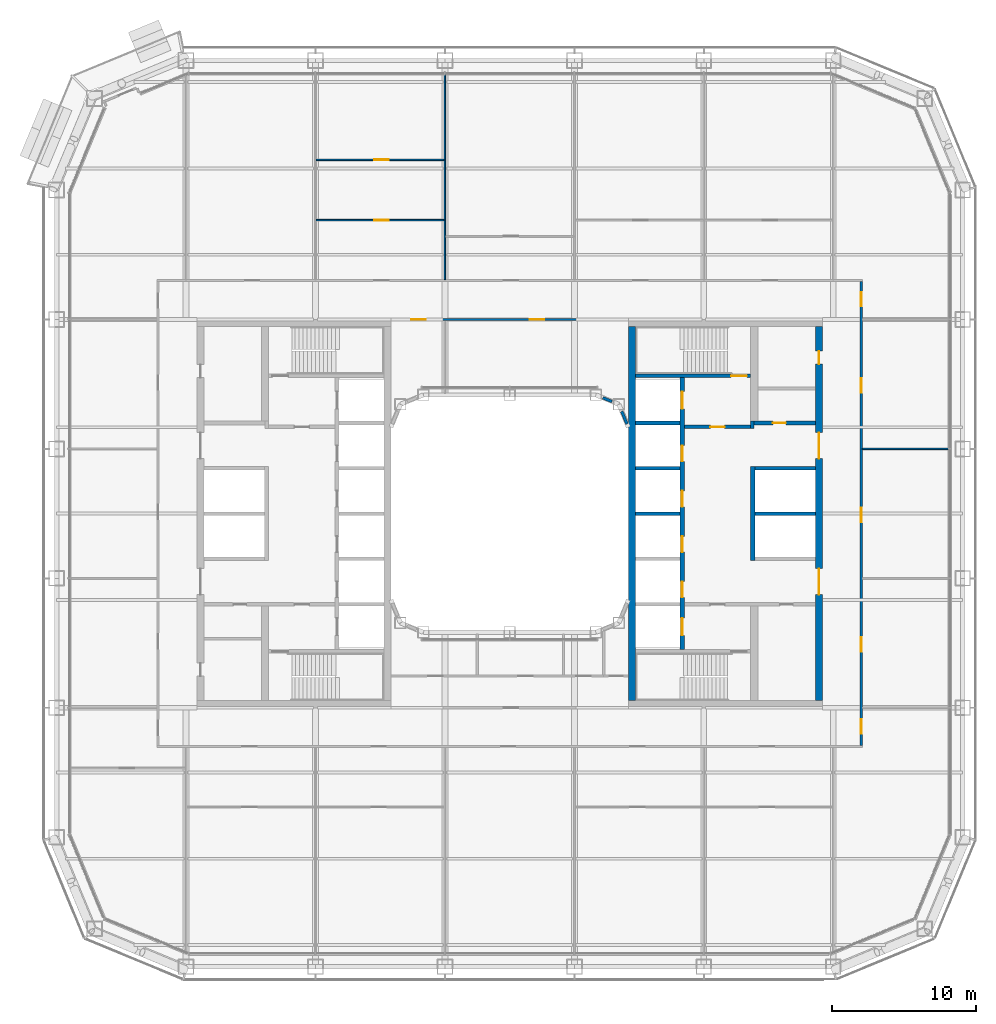
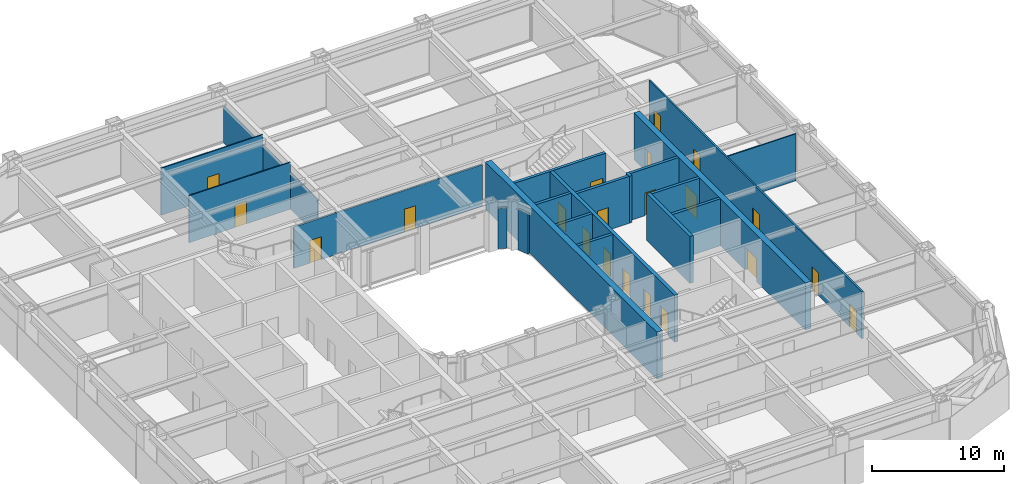
# One storey, part 15 of 28: 21 doors, 21 walls, 21 openings.
"""IFC4 building model written with IfcOpenShell, lengths in metres."""

from ifc_helpers import new_model, si_unit, direction, frame, frame_2d, origin, place, context, subcontext, project, spatial, rectangle, extrude, material, layer, layer_set, type_object, element, fill, save


model = new_model("IFC4")

# Units and contexts
model_context = context("Model", 3, precision=1e-05, world=origin(), true_north=direction((0.0, 1.0)))
body_context = subcontext(model_context, "Body", "Model", "MODEL_VIEW")
ifc_project = project(units=[si_unit("LENGTHUNIT", "METRE"), si_unit("AREAUNIT", "SQUARE_METRE"), si_unit("VOLUMEUNIT", "CUBIC_METRE"), si_unit("PLANEANGLEUNIT", "RADIAN"), si_unit("MASSUNIT", "GRAM", prefix="KILO")], contexts=[model_context])

# Site, building, storey
site_placement = place(None, origin())
site = spatial("IfcSite", under=ifc_project, at=site_placement, CompositionType="ELEMENT")
building_placement = place(site_placement, origin())
building = spatial("IfcBuilding", under=site, at=building_placement, Name="Siwar Civic Tower", CompositionType="ELEMENT")
storey_placement = place(building_placement, frame((0.0, 0.0, 31.199951171875)))
storey = spatial("IfcBuildingStorey", under=building, at=storey_placement, Name="L06", CompositionType="ELEMENT", Elevation=31.199951171875)

# Wall, opening, door
ifc_material_1 = material(Name="Concrete C60/75", Category="concrete")
ifc_layer_1 = layer(ifc_material_1, 0.25)
ifc_layer_set_1 = layer_set([ifc_layer_1], Name="Concrete C60/75")
wall_type_1 = type_object("IfcWallType", Name="CORE-WALL-RC250", PredefinedType="SHEAR", material=ifc_layer_set_1)
wall_1_placement = place(storey_placement, frame((12.14990234375, 6.02490234375, 0.0), z_axis=(0.0, 0.0, 1.0), x_axis=(1.0, 0.0, 0.0)))
wall_1 = element("IfcWall", 1, at=wall_1_placement, inside=storey, type_object=wall_type_1, Name="Core wall E", PredefinedType="SHEAR", context=body_context, shape_type="SweptSolid", body=[
    extrude(rectangle(XDim=4.60009765625, YDim=0.25, at=frame_2d((2.300048828125, 0.0))), origin(), (0.0, 0.0, 1.0), 4.35009765625),
])
opening_1_placement = place(wall_1_placement, frame((1.800048828125, 0.0, 0.0)))
opening_1 = element("IfcOpeningElement", 2, at=opening_1_placement, cuts=wall_1, Name="Opening L06-CE01", PredefinedType="OPENING", context=body_context, shape_type="SweptSolid", body=[
    extrude(rectangle(XDim=1.0, YDim=2.10009765625, at=frame_2d((0.5, 1.050048828125))), frame((0.0, 0.135009765625, 0.0), z_axis=(0.0, -1.0, 0.0), x_axis=(1.0, 0.0, 0.0)), (0.0, 0.0, 1.0), 0.27001953125),
])
ifc_material_2 = material(Name="Steel door leaf", Category="steel")
door_type_1 = type_object("IfcDoorType", Name="CORE-DOOR-FD30S", OperationType="SINGLE_SWING_LEFT", PredefinedType="DOOR", material=ifc_material_2)
door_1_placement = place(opening_1_placement, origin())
door_1 = element("IfcDoor", 3, at=door_1_placement, inside=storey, type_object=door_type_1, Name="Firefighting lobby door L06-CE01", OperationType="SINGLE_SWING_RIGHT", OverallHeight=2.10009765625, OverallWidth=1.0, PredefinedType="DOOR", context=body_context, shape_type="SweptSolid", body=[
    extrude(rectangle(XDim=1.0, YDim=2.10009765625, at=frame_2d((0.5, 1.050048828125))), frame((0.0, 0.02490234375, 0.0), z_axis=(0.0, -1.0, 0.0), x_axis=(1.0, 0.0, 0.0)), (0.0, 0.0, 1.0), 0.050048828125),
])
fill(opening_1, door_1)

# Wall
wall_2_placement = place(storey_placement, frame((16.875, 5.89990234375, 0.0), z_axis=(0.0, 0.0, 1.0), x_axis=(0.0, 1.0, 0.0)))
element("IfcWall", 4, at=wall_2_placement, inside=storey, type_object=wall_type_1, Name="Core wall E", PredefinedType="SHEAR", context=body_context, shape_type="SweptSolid", body=[
    extrude(rectangle(XDim=0.525146484375, YDim=0.25, at=frame_2d((0.2626953125, 0.0))), origin(), (0.0, 0.0, 1.0), 4.35009765625),
])

# Wall, opening, door
wall_3_placement = place(storey_placement, frame((17.0, 6.300048828125, 0.0), z_axis=(0.0, 0.0, 1.0), x_axis=(1.0, 0.0, 0.0)))
wall_3 = element("IfcWall", 5, at=wall_3_placement, inside=storey, type_object=wall_type_1, Name="Core wall E", PredefinedType="SHEAR", context=body_context, shape_type="SweptSolid", body=[
    extrude(rectangle(XDim=4.25, YDim=0.25, at=frame_2d((2.125, 0.0))), origin(), (0.0, 0.0, 1.0), 4.35009765625),
])
opening_2_placement = place(wall_3_placement, frame((1.300048828125, 0.0, 0.0)))
opening_2 = element("IfcOpeningElement", 6, at=opening_2_placement, cuts=wall_3, Name="Opening L06-CE13", PredefinedType="OPENING", context=body_context, shape_type="SweptSolid", body=[
    extrude(rectangle(XDim=0.89990234375, YDim=2.10009765625, at=frame_2d((0.449951171875, 1.050048828125))), frame((0.0, 0.135009765625, 0.0), z_axis=(0.0, -1.0, 0.0), x_axis=(1.0, 0.0, 0.0)), (0.0, 0.0, 1.0), 0.27001953125),
])
ifc_material_3 = material(Name="Steel door leaf", Category="steel")
door_type_2 = type_object("IfcDoorType", Name="CORE-DOOR-ROOM", OperationType="SINGLE_SWING_LEFT", PredefinedType="DOOR", material=ifc_material_3)
door_2_placement = place(opening_2_placement, origin())
door_2 = element("IfcDoor", 7, at=door_2_placement, inside=storey, type_object=door_type_2, Name="Core room door L06-CE13", OperationType="SINGLE_SWING_RIGHT", OverallHeight=2.10009765625, OverallWidth=0.89990234375, PredefinedType="DOOR", context=body_context, shape_type="SweptSolid", body=[
    extrude(rectangle(XDim=0.89990234375, YDim=2.10009765625, at=frame_2d((0.449951171875, 1.050048828125))), frame((0.0, 0.02490234375, 0.0), z_axis=(0.0, -1.0, 0.0), x_axis=(1.0, 0.0, 0.0)), (0.0, 0.0, 1.0), 0.050048828125),
])
fill(opening_2, door_2)

# Walls
for number, where, z_axis, x_axis, name in (
    (8, (17.050048828125, 0.0, 0.0), (0.0, 0.0, 1.0), (1.0, 0.0, 0.0), "Core wall E"),
    (9, (17.050048828125, 3.14990234375, 0.0), (0.0, 0.0, 1.0), (1.0, 0.0, 0.0), "Core wall E"),
):
    element("IfcWall", number, at=place(storey_placement, frame(where, z_axis=z_axis, x_axis=x_axis)), inside=storey, type_object=wall_type_1, Name=name, PredefinedType="SHEAR", context=body_context, shape_type="SweptSolid", body=[
        extrude(rectangle(XDim=4.199951171875, YDim=0.25, at=frame_2d((2.10009765625, 0.0))), origin(), (0.0, 0.0, 1.0), 4.35009765625),
    ])
for number, where, z_axis, x_axis, name in (
    (10, (8.75, 0.0, 0.0), (0.0, 0.0, 1.0), (1.0, 0.0, 0.0), "Core wall E"),
    (11, (8.75, 3.14990234375, 0.0), (0.0, 0.0, 1.0), (1.0, 0.0, 0.0), "Core wall E"),
    (12, (8.75, 6.300048828125, 0.0), (0.0, 0.0, 1.0), (1.0, 0.0, 0.0), "Core wall E"),
):
    element("IfcWall", number, at=place(storey_placement, frame(where, z_axis=z_axis, x_axis=x_axis)), inside=storey, type_object=wall_type_1, Name=name, PredefinedType="SHEAR", context=body_context, shape_type="SweptSolid", body=[
        extrude(rectangle(XDim=3.10009765625, YDim=0.25, at=frame_2d((1.550048828125, 0.0))), origin(), (0.0, 0.0, 1.0), 4.35009765625),
    ])

# Wall, opening, door
wall_4_placement = place(storey_placement, frame((8.75, 9.574951171875, 0.0), z_axis=(0.0, 0.0, 1.0), x_axis=(1.0, 0.0, 0.0)))
wall_4 = element("IfcWall", 13, at=wall_4_placement, inside=storey, type_object=wall_type_1, Name="Core wall E", PredefinedType="SHEAR", context=body_context, shape_type="SweptSolid", body=[
    extrude(rectangle(XDim=8.0, YDim=0.25, at=frame_2d((4.0, 0.0))), origin(), (0.0, 0.0, 1.0), 4.35009765625),
])
opening_3_placement = place(wall_4_placement, frame((6.64990234375, 0.0, 0.0)))
opening_3 = element("IfcOpeningElement", 14, at=opening_3_placement, cuts=wall_4, Name="Opening L06-CE03", PredefinedType="OPENING", context=body_context, shape_type="SweptSolid", body=[
    extrude(rectangle(XDim=1.10009765625, YDim=2.10009765625, at=frame_2d((0.550048828125, 1.050048828125))), frame((0.0, 0.135009765625, 0.0), z_axis=(0.0, -1.0, 0.0), x_axis=(1.0, 0.0, 0.0)), (0.0, 0.0, 1.0), 0.27001953125),
])
ifc_material_4 = material(Name="Steel door leaf", Category="steel")
door_type_3 = type_object("IfcDoorType", Name="CORE-DOOR-FD60S", OperationType="SINGLE_SWING_LEFT", PredefinedType="DOOR", material=ifc_material_4)
door_3_placement = place(opening_3_placement, origin())
door_3 = element("IfcDoor", 15, at=door_3_placement, inside=storey, type_object=door_type_3, Name="Stair door L06-CE03", OperationType="SINGLE_SWING_LEFT", OverallHeight=2.10009765625, OverallWidth=1.10009765625, PredefinedType="DOOR", context=body_context, shape_type="SweptSolid", body=[
    extrude(rectangle(XDim=1.10009765625, YDim=2.10009765625, at=frame_2d((0.550048828125, 1.050048828125))), frame((0.0, 0.02490234375, 0.0), z_axis=(0.0, -1.0, 0.0), x_axis=(1.0, 0.0, 0.0)), (0.0, 0.0, 1.0), 0.050048828125),
])
fill(opening_3, door_3)

# Wall, openings, doors
ifc_material_5 = material(Name="Concrete C60/75", Category="concrete")
ifc_layer_2 = layer(ifc_material_5, 0.300048828125)
ifc_layer_set_2 = layer_set([ifc_layer_2], Name="Concrete C60/75")
wall_type_2 = type_object("IfcWallType", Name="CORE-WALL-RC300", PredefinedType="SHEAR", material=ifc_layer_set_2)
wall_5_placement = place(storey_placement, frame((12.0, -9.449951171875, 0.0), z_axis=(0.0, 0.0, 1.0), x_axis=(0.0, 1.0, 0.0)))
wall_5 = element("IfcWall", 16, at=wall_5_placement, inside=storey, type_object=wall_type_2, Name="Core wall E", PredefinedType="SHEAR", context=body_context, shape_type="SweptSolid", body=[
    extrude(rectangle(XDim=18.89990234375, YDim=0.300048828125, at=frame_2d((9.449951171875, 0.0))), origin(), (0.0, 0.0, 1.0), 4.35009765625),
])
opening_4_placement = place(wall_5_placement, frame((3.625, 0.0, 0.0)))
opening_4 = element("IfcOpeningElement", 17, at=opening_4_placement, cuts=wall_5, Name="Opening L06-CE07", PredefinedType="OPENING", context=body_context, shape_type="SweptSolid", body=[
    extrude(rectangle(XDim=1.10009765625, YDim=2.10009765625, at=frame_2d((0.550048828125, 1.050048828125))), frame((0.0, 0.16015625, 0.0), z_axis=(0.0, -1.0, 0.0), x_axis=(1.0, 0.0, 0.0)), (0.0, 0.0, 1.0), 0.320068359375),
])
opening_5_placement = place(wall_5_placement, frame((6.77490234375, 0.0, 0.0)))
opening_5 = element("IfcOpeningElement", 18, at=opening_5_placement, cuts=wall_5, Name="Opening L06-CE08", PredefinedType="OPENING", context=body_context, shape_type="SweptSolid", body=[
    extrude(rectangle(XDim=1.10009765625, YDim=2.10009765625, at=frame_2d((0.550048828125, 1.050048828125))), frame((0.0, 0.16015625, 0.0), z_axis=(0.0, -1.0, 0.0), x_axis=(1.0, 0.0, 0.0)), (0.0, 0.0, 1.0), 0.320068359375),
])
opening_6_placement = place(wall_5_placement, frame((9.925048828125, 0.0, 0.0)))
opening_6 = element("IfcOpeningElement", 19, at=opening_6_placement, cuts=wall_5, Name="Opening L06-CE09", PredefinedType="OPENING", context=body_context, shape_type="SweptSolid", body=[
    extrude(rectangle(XDim=1.10009765625, YDim=2.10009765625, at=frame_2d((0.550048828125, 1.050048828125))), frame((0.0, 0.16015625, 0.0), z_axis=(0.0, -1.0, 0.0), x_axis=(1.0, 0.0, 0.0)), (0.0, 0.0, 1.0), 0.320068359375),
])
opening_7_placement = place(wall_5_placement, frame((13.074951171875, 0.0, 0.0)))
opening_7 = element("IfcOpeningElement", 20, at=opening_7_placement, cuts=wall_5, Name="Opening L06-CE10", PredefinedType="OPENING", context=body_context, shape_type="SweptSolid", body=[
    extrude(rectangle(XDim=1.10009765625, YDim=2.10009765625, at=frame_2d((0.550048828125, 1.050048828125))), frame((0.0, 0.16015625, 0.0), z_axis=(0.0, -1.0, 0.0), x_axis=(1.0, 0.0, 0.0)), (0.0, 0.0, 1.0), 0.320068359375),
])
opening_8_placement = place(wall_5_placement, frame((16.72509765625, 0.0, 0.0)))
opening_8 = element("IfcOpeningElement", 21, at=opening_8_placement, cuts=wall_5, Name="Opening L06-CE11", PredefinedType="OPENING", context=body_context, shape_type="SweptSolid", body=[
    extrude(rectangle(XDim=1.199951171875, YDim=2.10009765625, at=frame_2d((0.60009765625, 1.050048828125))), frame((0.0, 0.16015625, 0.0), z_axis=(0.0, -1.0, 0.0), x_axis=(1.0, 0.0, 0.0)), (0.0, 0.0, 1.0), 0.320068359375),
])
opening_9_placement = place(wall_5_placement, frame((0.97509765625, 0.0, 0.0)))
opening_9 = element("IfcOpeningElement", 22, at=opening_9_placement, cuts=wall_5, Name="Opening L06-CE12", PredefinedType="OPENING", context=body_context, shape_type="SweptSolid", body=[
    extrude(rectangle(XDim=1.199951171875, YDim=2.10009765625, at=frame_2d((0.60009765625, 1.050048828125))), frame((0.0, 0.16015625, 0.0), z_axis=(0.0, -1.0, 0.0), x_axis=(1.0, 0.0, 0.0)), (0.0, 0.0, 1.0), 0.320068359375),
])
ifc_material_6 = material(Name="Steel door leaf", Category="steel")
door_type_4 = type_object("IfcDoorType", Name="CORE-DOOR-LD", OperationType="DOUBLE_DOOR_SLIDING", PredefinedType="DOOR", material=ifc_material_6)
door_4_placement = place(opening_4_placement, origin())
door_4 = element("IfcDoor", 23, at=door_4_placement, inside=storey, type_object=door_type_4, Name="Landing door LR5 L06-CE07", OperationType="DOUBLE_DOOR_SLIDING", OverallHeight=2.10009765625, OverallWidth=1.10009765625, PredefinedType="DOOR", context=body_context, shape_type="SweptSolid", body=[
    extrude(rectangle(XDim=1.10009765625, YDim=2.10009765625, at=frame_2d((0.550048828125, 1.050048828125))), frame((0.0, 0.02490234375, 0.0), z_axis=(0.0, -1.0, 0.0), x_axis=(1.0, 0.0, 0.0)), (0.0, 0.0, 1.0), 0.050048828125),
])
fill(opening_4, door_4)
door_5_placement = place(opening_5_placement, origin())
door_5 = element("IfcDoor", 24, at=door_5_placement, inside=storey, type_object=door_type_4, Name="Landing door LR6 L06-CE08", OperationType="DOUBLE_DOOR_SLIDING", OverallHeight=2.10009765625, OverallWidth=1.10009765625, PredefinedType="DOOR", context=body_context, shape_type="SweptSolid", body=[
    extrude(rectangle(XDim=1.10009765625, YDim=2.10009765625, at=frame_2d((0.550048828125, 1.050048828125))), frame((0.0, 0.02490234375, 0.0), z_axis=(0.0, -1.0, 0.0), x_axis=(1.0, 0.0, 0.0)), (0.0, 0.0, 1.0), 0.050048828125),
])
fill(opening_5, door_5)
door_6_placement = place(opening_6_placement, origin())
door_6 = element("IfcDoor", 25, at=door_6_placement, inside=storey, type_object=door_type_4, Name="Landing door LR7 L06-CE09", OperationType="DOUBLE_DOOR_SLIDING", OverallHeight=2.10009765625, OverallWidth=1.10009765625, PredefinedType="DOOR", context=body_context, shape_type="SweptSolid", body=[
    extrude(rectangle(XDim=1.10009765625, YDim=2.10009765625, at=frame_2d((0.550048828125, 1.050048828125))), frame((0.0, 0.02490234375, 0.0), z_axis=(0.0, -1.0, 0.0), x_axis=(1.0, 0.0, 0.0)), (0.0, 0.0, 1.0), 0.050048828125),
])
fill(opening_6, door_6)
door_7_placement = place(opening_7_placement, origin())
door_7 = element("IfcDoor", 26, at=door_7_placement, inside=storey, type_object=door_type_4, Name="Landing door LR8 L06-CE10", OperationType="DOUBLE_DOOR_SLIDING", OverallHeight=2.10009765625, OverallWidth=1.10009765625, PredefinedType="DOOR", context=body_context, shape_type="SweptSolid", body=[
    extrude(rectangle(XDim=1.10009765625, YDim=2.10009765625, at=frame_2d((0.550048828125, 1.050048828125))), frame((0.0, 0.02490234375, 0.0), z_axis=(0.0, -1.0, 0.0), x_axis=(1.0, 0.0, 0.0)), (0.0, 0.0, 1.0), 0.050048828125),
])
fill(opening_7, door_7)
ifc_material_7 = material(Name="Steel door leaf", Category="steel")
door_type_5 = type_object("IfcDoorType", Name="CORE-DOOR-LDW", OperationType="DOUBLE_DOOR_SLIDING", PredefinedType="DOOR", material=ifc_material_7)
door_8_placement = place(opening_8_placement, origin())
door_8 = element("IfcDoor", 27, at=door_8_placement, inside=storey, type_object=door_type_5, Name="Landing door FF2 L06-CE11", OperationType="DOUBLE_DOOR_SLIDING", OverallHeight=2.10009765625, OverallWidth=1.199951171875, PredefinedType="DOOR", context=body_context, shape_type="SweptSolid", body=[
    extrude(rectangle(XDim=1.199951171875, YDim=2.10009765625, at=frame_2d((0.60009765625, 1.050048828125))), frame((0.0, 0.02490234375, 0.0), z_axis=(0.0, -1.0, 0.0), x_axis=(1.0, 0.0, 0.0)), (0.0, 0.0, 1.0), 0.050048828125),
])
fill(opening_8, door_8)
door_9_placement = place(opening_9_placement, origin())
door_9 = element("IfcDoor", 28, at=door_9_placement, inside=storey, type_object=door_type_5, Name="Landing door SV2 L06-CE12", OperationType="DOUBLE_DOOR_SLIDING", OverallHeight=2.10009765625, OverallWidth=1.199951171875, PredefinedType="DOOR", context=body_context, shape_type="SweptSolid", body=[
    extrude(rectangle(XDim=1.199951171875, YDim=2.10009765625, at=frame_2d((0.60009765625, 1.050048828125))), frame((0.0, 0.02490234375, 0.0), z_axis=(0.0, -1.0, 0.0), x_axis=(1.0, 0.0, 0.0)), (0.0, 0.0, 1.0), 0.050048828125),
])
fill(opening_9, door_9)

# Wall
wall_6_placement = place(storey_placement, frame((16.89990234375, -3.27490234375, 0.0), z_axis=(0.0, 0.0, 1.0), x_axis=(0.0, 1.0, 0.0)))
element("IfcWall", 29, at=wall_6_placement, inside=storey, type_object=wall_type_2, Name="Core wall E", PredefinedType="SHEAR", context=body_context, shape_type="SweptSolid", body=[
    extrude(rectangle(XDim=6.5498046875, YDim=0.300048828125, at=frame_2d((3.27490234375, 0.0))), origin(), (0.0, 0.0, 1.0), 4.35009765625),
])

# Wall, openings, doors
ifc_material_8 = material(Name="Concrete C60/75", Category="concrete")
ifc_layer_3 = layer(ifc_material_8, 0.5)
ifc_layer_set_3 = layer_set([ifc_layer_3], Name="Concrete C60/75")
wall_type_3 = type_object("IfcWallType", Name="CORE-WALL-RC500", PredefinedType="SHEAR", material=ifc_layer_set_3)
wall_7_placement = place(storey_placement, frame((21.5, -13.0, 0.0), z_axis=(0.0, 0.0, 1.0), x_axis=(0.0, 1.0, 0.0)))
wall_7 = element("IfcWall", 30, at=wall_7_placement, inside=storey, type_object=wall_type_3, Name="Core wall E", PredefinedType="SHEAR", context=body_context, shape_type="SweptSolid", body=[
    extrude(rectangle(XDim=26.0, YDim=0.5, at=frame_2d((13.0, 0.0))), origin(), (0.0, 0.0, 1.0), 4.35009765625),
])
opening_10_placement = place(wall_7_placement, frame((16.824951171875, 0.0, 0.0)))
opening_10 = element("IfcOpeningElement", 31, at=opening_10_placement, cuts=wall_7, Name="Opening L06-CE05", PredefinedType="OPENING", context=body_context, shape_type="SweptSolid", body=[
    extrude(rectangle(XDim=1.800048828125, YDim=2.10009765625, at=frame_2d((0.89990234375, 1.050048828125))), frame((0.0, 0.260009765625, 0.0), z_axis=(0.0, -1.0, 0.0), x_axis=(1.0, 0.0, 0.0)), (0.0, 0.0, 1.0), 0.52001953125),
])
opening_11_placement = place(wall_7_placement, frame((7.375, 0.0, 0.0)))
opening_11 = element("IfcOpeningElement", 32, at=opening_11_placement, cuts=wall_7, Name="Opening L06-CE06", PredefinedType="OPENING", context=body_context, shape_type="SweptSolid", body=[
    extrude(rectangle(XDim=1.800048828125, YDim=2.10009765625, at=frame_2d((0.89990234375, 1.050048828125))), frame((0.0, 0.260009765625, 0.0), z_axis=(0.0, -1.0, 0.0), x_axis=(1.0, 0.0, 0.0)), (0.0, 0.0, 1.0), 0.52001953125),
])
opening_12_placement = place(wall_7_placement, frame((23.39990234375, 0.0, 0.0)))
opening_12 = element("IfcOpeningElement", 33, at=opening_12_placement, cuts=wall_7, Name="Opening L06-CE14", PredefinedType="OPENING", context=body_context, shape_type="SweptSolid", body=[
    extrude(rectangle(XDim=0.89990234375, YDim=2.10009765625, at=frame_2d((0.449951171875, 1.050048828125))), frame((0.0, 0.260009765625, 0.0), z_axis=(0.0, -1.0, 0.0), x_axis=(1.0, 0.0, 0.0)), (0.0, 0.0, 1.0), 0.52001953125),
])
ifc_material_9 = material(Name="Steel door leaf", Category="steel")
door_type_6 = type_object("IfcDoorType", Name="CORE-DOOR-PORT", OperationType="DOUBLE_DOOR_DOUBLE_SWING", PredefinedType="DOOR", material=ifc_material_9)
door_10_placement = place(opening_10_placement, origin())
door_10 = element("IfcDoor", 34, at=door_10_placement, inside=storey, type_object=door_type_6, Name="Core entrance door L06-CE05", OperationType="DOUBLE_DOOR_DOUBLE_SWING", OverallHeight=2.10009765625, OverallWidth=1.800048828125, PredefinedType="DOOR", context=body_context, shape_type="SweptSolid", body=[
    extrude(rectangle(XDim=1.800048828125, YDim=2.10009765625, at=frame_2d((0.89990234375, 1.050048828125))), frame((0.0, 0.02490234375, 0.0), z_axis=(0.0, -1.0, 0.0), x_axis=(1.0, 0.0, 0.0)), (0.0, 0.0, 1.0), 0.050048828125),
])
fill(opening_10, door_10)
door_11_placement = place(opening_11_placement, origin())
door_11 = element("IfcDoor", 35, at=door_11_placement, inside=storey, type_object=door_type_6, Name="Core entrance door L06-CE06", OperationType="DOUBLE_DOOR_DOUBLE_SWING", OverallHeight=2.10009765625, OverallWidth=1.800048828125, PredefinedType="DOOR", context=body_context, shape_type="SweptSolid", body=[
    extrude(rectangle(XDim=1.800048828125, YDim=2.10009765625, at=frame_2d((0.89990234375, 1.050048828125))), frame((0.0, 0.02490234375, 0.0), z_axis=(0.0, -1.0, 0.0), x_axis=(1.0, 0.0, 0.0)), (0.0, 0.0, 1.0), 0.050048828125),
])
fill(opening_11, door_11)
door_12_placement = place(opening_12_placement, origin())
door_12 = element("IfcDoor", 36, at=door_12_placement, inside=storey, type_object=door_type_2, Name="Core room door L06-CE14", OperationType="SINGLE_SWING_RIGHT", OverallHeight=2.10009765625, OverallWidth=0.89990234375, PredefinedType="DOOR", context=body_context, shape_type="SweptSolid", body=[
    extrude(rectangle(XDim=0.89990234375, YDim=2.10009765625, at=frame_2d((0.449951171875, 1.050048828125))), frame((0.0, 0.02490234375, 0.0), z_axis=(0.0, -1.0, 0.0), x_axis=(1.0, 0.0, 0.0)), (0.0, 0.0, 1.0), 0.050048828125),
])
fill(opening_12, door_12)

# Wall
ifc_material_10 = material(Name="Concrete C60/75", Category="concrete")
ifc_layer_4 = layer(ifc_material_10, 0.5)
ifc_layer_set_4 = layer_set([ifc_layer_4], Name="Concrete C60/75")
wall_type_4 = type_object("IfcWallType", Name="CORE-WALL-RC500-EXT", PredefinedType="SHEAR", material=ifc_layer_set_4)
wall_8_placement = place(storey_placement, frame((8.5, -13.0, 0.0), z_axis=(0.0, 0.0, 1.0), x_axis=(0.0, 1.0, 0.0)))
element("IfcWall", 37, at=wall_8_placement, inside=storey, type_object=wall_type_4, Name="Core wall E", PredefinedType="SHEAR", context=body_context, shape_type="SweptSolid", body=[
    extrude(rectangle(XDim=26.0, YDim=0.5, at=frame_2d((13.0, 0.0))), origin(), (0.0, 0.0, 1.0), 4.35009765625),
])

# Wall, openings, doors
ifc_material_11 = material(Name="Gypsum board on steel studs", Category="steel")
ifc_layer_5 = layer(ifc_material_11, 0.14990234375)
ifc_layer_set_5 = layer_set([ifc_layer_5], Name="Gypsum board on steel studs")
wall_type_5 = type_object("IfcWallType", Name="CORRIDOR PARTITION 150 EI 30", PredefinedType="PARTITIONING", material=ifc_layer_set_5)
wall_9_placement = place(storey_placement, frame((-8.25, 13.5, 0.0), z_axis=(0.0, 0.0, 1.0), x_axis=(1.0, 0.0, 0.0)))
wall_9 = element("IfcWall", 38, at=wall_9_placement, inside=storey, type_object=wall_type_5, Name="L06/wall/P16", PredefinedType="PARTITIONING", context=body_context, shape_type="SweptSolid", body=[
    extrude(rectangle(XDim=16.5, YDim=0.14990234375, at=frame_2d((8.25, 0.0))), origin(), (0.0, 0.0, 1.0), 3.85009765625),
])
opening_13_placement = place(wall_9_placement, frame((1.39990234375, 0.0, 0.0)))
opening_13 = element("IfcOpeningElement", 39, at=opening_13_placement, cuts=wall_9, Name="Opening D1", PredefinedType="OPENING", context=body_context, shape_type="SweptSolid", body=[
    extrude(rectangle(XDim=1.0, YDim=2.10009765625, at=frame_2d((0.5, 1.050048828125))), frame((0.0, 0.0849609375, 0.0), z_axis=(0.0, -1.0, 0.0), x_axis=(1.0, 0.0, 0.0)), (0.0, 0.0, 1.0), 0.169921875),
])
opening_14_placement = place(wall_9_placement, frame((9.64990234375, 0.0, 0.0)))
opening_14 = element("IfcOpeningElement", 40, at=opening_14_placement, cuts=wall_9, Name="Opening D1", PredefinedType="OPENING", context=body_context, shape_type="SweptSolid", body=[
    extrude(rectangle(XDim=1.0, YDim=2.10009765625, at=frame_2d((0.5, 1.050048828125))), frame((0.0, 0.0849609375, 0.0), z_axis=(0.0, -1.0, 0.0), x_axis=(1.0, 0.0, 0.0)), (0.0, 0.0, 1.0), 0.169921875),
])
ifc_material_12 = material(Name="Timber, painted", Category="wood")
door_type_7 = type_object("IfcDoorType", Name="DOOR 1000 X 2100 FD30", OperationType="SINGLE_SWING_LEFT", PredefinedType="DOOR", material=ifc_material_12)
door_13_placement = place(opening_13_placement, origin())
door_13 = element("IfcDoor", 41, at=door_13_placement, inside=storey, type_object=door_type_7, Name="L06-D31", OperationType="SINGLE_SWING_LEFT", OverallHeight=2.10009765625, OverallWidth=1.0, PredefinedType="DOOR", context=body_context, shape_type="SweptSolid", body=[
    extrude(rectangle(XDim=1.0, YDim=2.10009765625, at=frame_2d((0.5, 1.050048828125))), frame((0.0, 0.02490234375, 0.0), z_axis=(0.0, -1.0, 0.0), x_axis=(1.0, 0.0, 0.0)), (0.0, 0.0, 1.0), 0.050048828125),
])
fill(opening_13, door_13)
door_14_placement = place(opening_14_placement, origin())
door_14 = element("IfcDoor", 42, at=door_14_placement, inside=storey, type_object=door_type_7, Name="L06-D32", OperationType="SINGLE_SWING_RIGHT", OverallHeight=2.10009765625, OverallWidth=1.0, PredefinedType="DOOR", context=body_context, shape_type="SweptSolid", body=[
    extrude(rectangle(XDim=1.0, YDim=2.10009765625, at=frame_2d((0.5, 1.050048828125))), frame((0.0, 0.02490234375, 0.0), z_axis=(0.0, -1.0, 0.0), x_axis=(1.0, 0.0, 0.0)), (0.0, 0.0, 1.0), 0.050048828125),
])
fill(opening_14, door_14)

wall_10_placement = place(storey_placement, frame((24.449951171875, -16.125, 0.0), z_axis=(0.0, 0.0, 1.0), x_axis=(0.0, 1.0, 0.0)))
wall_10 = element("IfcWall", 43, at=wall_10_placement, inside=storey, type_object=wall_type_5, Name="L06/wall/P42", PredefinedType="PARTITIONING", context=body_context, shape_type="SweptSolid", body=[
    extrude(rectangle(XDim=32.25, YDim=0.14990234375, at=frame_2d((16.125, 0.0))), origin(), (0.0, 0.0, 1.0), 4.35009765625),
])
opening_15_placement = place(wall_10_placement, frame((30.52490234375, 0.0, 0.0)))
opening_15 = element("IfcOpeningElement", 44, at=opening_15_placement, cuts=wall_10, Name="Opening D1", PredefinedType="OPENING", context=body_context, shape_type="SweptSolid", body=[
    extrude(rectangle(XDim=1.0, YDim=2.10009765625, at=frame_2d((0.5, 1.050048828125))), frame((0.0, 0.0849609375, 0.0), z_axis=(0.0, -1.0, 0.0), x_axis=(1.0, 0.0, 0.0)), (0.0, 0.0, 1.0), 0.169921875),
])
opening_16_placement = place(wall_10_placement, frame((0.824951171875, 0.0, 0.0)))
opening_16 = element("IfcOpeningElement", 45, at=opening_16_placement, cuts=wall_10, Name="Opening D1", PredefinedType="OPENING", context=body_context, shape_type="SweptSolid", body=[
    extrude(rectangle(XDim=1.0, YDim=2.10009765625, at=frame_2d((0.5, 1.050048828125))), frame((0.0, 0.0849609375, 0.0), z_axis=(0.0, -1.0, 0.0), x_axis=(1.0, 0.0, 0.0)), (0.0, 0.0, 1.0), 0.169921875),
])
opening_17_placement = place(wall_10_placement, frame((6.52490234375, 0.0, 0.0)))
opening_17 = element("IfcOpeningElement", 46, at=opening_17_placement, cuts=wall_10, Name="Opening D1", PredefinedType="OPENING", context=body_context, shape_type="SweptSolid", body=[
    extrude(rectangle(XDim=1.0, YDim=2.10009765625, at=frame_2d((0.5, 1.050048828125))), frame((0.0, 0.0849609375, 0.0), z_axis=(0.0, -1.0, 0.0), x_axis=(1.0, 0.0, 0.0)), (0.0, 0.0, 1.0), 0.169921875),
])
opening_18_placement = place(wall_10_placement, frame((15.52490234375, 0.0, 0.0)))
opening_18 = element("IfcOpeningElement", 47, at=opening_18_placement, cuts=wall_10, Name="Opening D1", PredefinedType="OPENING", context=body_context, shape_type="SweptSolid", body=[
    extrude(rectangle(XDim=1.0, YDim=2.10009765625, at=frame_2d((0.5, 1.050048828125))), frame((0.0, 0.0849609375, 0.0), z_axis=(0.0, -1.0, 0.0), x_axis=(1.0, 0.0, 0.0)), (0.0, 0.0, 1.0), 0.169921875),
])
opening_19_placement = place(wall_10_placement, frame((24.52490234375, 0.0, 0.0)))
opening_19 = element("IfcOpeningElement", 48, at=opening_19_placement, cuts=wall_10, Name="Opening D1", PredefinedType="OPENING", context=body_context, shape_type="SweptSolid", body=[
    extrude(rectangle(XDim=1.0, YDim=2.10009765625, at=frame_2d((0.5, 1.050048828125))), frame((0.0, 0.0849609375, 0.0), z_axis=(0.0, -1.0, 0.0), x_axis=(1.0, 0.0, 0.0)), (0.0, 0.0, 1.0), 0.169921875),
])
door_15_placement = place(opening_15_placement, origin())
door_15 = element("IfcDoor", 49, at=door_15_placement, inside=storey, type_object=door_type_7, Name="L06-D21", OperationType="SINGLE_SWING_LEFT", OverallHeight=2.10009765625, OverallWidth=1.0, PredefinedType="DOOR", context=body_context, shape_type="SweptSolid", body=[
    extrude(rectangle(XDim=1.0, YDim=2.10009765625, at=frame_2d((0.5, 1.050048828125))), frame((0.0, 0.02490234375, 0.0), z_axis=(0.0, -1.0, 0.0), x_axis=(1.0, 0.0, 0.0)), (0.0, 0.0, 1.0), 0.050048828125),
])
fill(opening_15, door_15)
door_16_placement = place(opening_16_placement, origin())
door_16 = element("IfcDoor", 50, at=door_16_placement, inside=storey, type_object=door_type_7, Name="L06-D24", OperationType="SINGLE_SWING_RIGHT", OverallHeight=2.10009765625, OverallWidth=1.0, PredefinedType="DOOR", context=body_context, shape_type="SweptSolid", body=[
    extrude(rectangle(XDim=1.0, YDim=2.10009765625, at=frame_2d((0.5, 1.050048828125))), frame((0.0, 0.02490234375, 0.0), z_axis=(0.0, -1.0, 0.0), x_axis=(1.0, 0.0, 0.0)), (0.0, 0.0, 1.0), 0.050048828125),
])
fill(opening_16, door_16)
door_17_placement = place(opening_17_placement, origin())
door_17 = element("IfcDoor", 51, at=door_17_placement, inside=storey, type_object=door_type_7, Name="L06-D28", OperationType="SINGLE_SWING_RIGHT", OverallHeight=2.10009765625, OverallWidth=1.0, PredefinedType="DOOR", context=body_context, shape_type="SweptSolid", body=[
    extrude(rectangle(XDim=1.0, YDim=2.10009765625, at=frame_2d((0.5, 1.050048828125))), frame((0.0, 0.02490234375, 0.0), z_axis=(0.0, -1.0, 0.0), x_axis=(1.0, 0.0, 0.0)), (0.0, 0.0, 1.0), 0.050048828125),
])
fill(opening_17, door_17)
door_18_placement = place(opening_18_placement, origin())
door_18 = element("IfcDoor", 52, at=door_18_placement, inside=storey, type_object=door_type_7, Name="L06-D29", OperationType="SINGLE_SWING_LEFT", OverallHeight=2.10009765625, OverallWidth=1.0, PredefinedType="DOOR", context=body_context, shape_type="SweptSolid", body=[
    extrude(rectangle(XDim=1.0, YDim=2.10009765625, at=frame_2d((0.5, 1.050048828125))), frame((0.0, 0.02490234375, 0.0), z_axis=(0.0, -1.0, 0.0), x_axis=(1.0, 0.0, 0.0)), (0.0, 0.0, 1.0), 0.050048828125),
])
fill(opening_18, door_18)
door_19_placement = place(opening_19_placement, origin())
door_19 = element("IfcDoor", 53, at=door_19_placement, inside=storey, type_object=door_type_7, Name="L06-D30", OperationType="SINGLE_SWING_RIGHT", OverallHeight=2.10009765625, OverallWidth=1.0, PredefinedType="DOOR", context=body_context, shape_type="SweptSolid", body=[
    extrude(rectangle(XDim=1.0, YDim=2.10009765625, at=frame_2d((0.5, 1.050048828125))), frame((0.0, 0.02490234375, 0.0), z_axis=(0.0, -1.0, 0.0), x_axis=(1.0, 0.0, 0.0)), (0.0, 0.0, 1.0), 0.050048828125),
])
fill(opening_19, door_19)

# Walls
ifc_material_13 = material(Name="Aluminium clad insulated panel", Category="aluminium")
ifc_layer_6 = layer(ifc_material_13, 0.199951171875)
ifc_layer_set_6 = layer_set([ifc_layer_6], Name="Aluminium clad insulated panel")
wall_type_6 = type_object("IfcWallType", Name="ENV-WALL-WELL", PredefinedType="STANDARD", material=ifc_layer_set_6)
wall_11_placement = place(storey_placement, frame((8.154296875, 6.23095703125, 0.0), z_axis=(0.0, 0.0, 1.0), x_axis=(-0.382624318388, 0.923904016107, 0.0)))
element("IfcWall", 54, at=wall_11_placement, inside=storey, type_object=wall_type_6, Name="Light well corner wall NE1", PredefinedType="STANDARD", context=body_context, shape_type="SweptSolid", body=[
    extrude(rectangle(XDim=0.949462890625, YDim=0.199951171875, at=frame_2d((0.474609375, 0.0))), origin(), (0.0, 0.0, 1.0), 3.72998046875),
])
wall_12_placement = place(storey_placement, frame((7.108154296875, 7.791015625, 0.0), z_axis=(0.0, 0.0, 1.0), x_axis=(-0.923854141361, 0.382744726273, 0.0)))
element("IfcWall", 55, at=wall_12_placement, inside=storey, type_object=wall_type_6, Name="Light well corner wall NE2", PredefinedType="STANDARD", context=body_context, shape_type="SweptSolid", body=[
    extrude(rectangle(XDim=0.6767578125, YDim=0.199951171875, at=frame_2d((0.33837890625, 0.0))), origin(), (0.0, 0.0, 1.0), 3.72998046875),
])
ifc_material_14 = material(Name="Gypsum board on steel studs", Category="steel")
ifc_layer_7 = layer(ifc_material_14, 0.10009765625)
ifc_layer_set_7 = layer_set([ifc_layer_7], Name="Gypsum board on steel studs")
wall_type_7 = type_object("IfcWallType", Name="PARTITION 100 GYPSUM", PredefinedType="PARTITIONING", material=ifc_layer_set_7)
wall_13_placement = place(storey_placement, frame((24.52490234375, 4.5, 0.0), z_axis=(0.0, 0.0, 1.0), x_axis=(1.0, 0.0, 0.0)))
element("IfcWall", 56, at=wall_13_placement, inside=storey, type_object=wall_type_7, Name="L06/wall/P13", PredefinedType="PARTITIONING", context=body_context, shape_type="SweptSolid", body=[
    extrude(rectangle(XDim=5.985107421875, YDim=0.10009765625, at=frame_2d((2.99267578125, 0.0))), origin(), (0.0, 0.0, 1.0), 4.35009765625),
])

# Wall, opening, door
wall_14_placement = place(storey_placement, frame((-13.449951171875, 20.39990234375, 0.0), z_axis=(0.0, 0.0, 1.0), x_axis=(1.0, 0.0, 0.0)))
wall_14 = element("IfcWall", 57, at=wall_14_placement, inside=storey, type_object=wall_type_7, Name="L06/wall/P19", PredefinedType="PARTITIONING", context=body_context, shape_type="SweptSolid", body=[
    extrude(rectangle(XDim=8.89990234375, YDim=0.10009765625, at=frame_2d((4.449951171875, 0.0))), origin(), (0.0, 0.0, 1.0), 4.35009765625),
])
opening_20_placement = place(wall_14_placement, frame((4.050048828125, 0.0, 0.0)))
opening_20 = element("IfcOpeningElement", 58, at=opening_20_placement, cuts=wall_14, Name="Opening D2", PredefinedType="OPENING", context=body_context, shape_type="SweptSolid", body=[
    extrude(rectangle(XDim=1.0, YDim=2.10009765625, at=frame_2d((0.5, 1.050048828125))), frame((0.0, 0.06005859375, 0.0), z_axis=(0.0, -1.0, 0.0), x_axis=(1.0, 0.0, 0.0)), (0.0, 0.0, 1.0), 0.1201171875),
])
ifc_material_15 = material(Name="Timber, painted", Category="wood")
door_type_8 = type_object("IfcDoorType", Name="DOOR 1000 X 2100", OperationType="SINGLE_SWING_LEFT", PredefinedType="DOOR", material=ifc_material_15)
door_20_placement = place(opening_20_placement, origin())
door_20 = element("IfcDoor", 59, at=door_20_placement, inside=storey, type_object=door_type_8, Name="L06-D03", OperationType="SINGLE_SWING_LEFT", OverallHeight=2.10009765625, OverallWidth=1.0, PredefinedType="DOOR", context=body_context, shape_type="SweptSolid", body=[
    extrude(rectangle(XDim=1.0, YDim=2.10009765625, at=frame_2d((0.5, 1.050048828125))), frame((0.0, 0.02490234375, 0.0), z_axis=(0.0, -1.0, 0.0), x_axis=(1.0, 0.0, 0.0)), (0.0, 0.0, 1.0), 0.050048828125),
])
fill(opening_20, door_20)

wall_15_placement = place(storey_placement, frame((-13.449951171875, 24.60009765625, 0.0), z_axis=(0.0, 0.0, 1.0), x_axis=(1.0, 0.0, 0.0)))
wall_15 = element("IfcWall", 60, at=wall_15_placement, inside=storey, type_object=wall_type_7, Name="L06/wall/P21", PredefinedType="PARTITIONING", context=body_context, shape_type="SweptSolid", body=[
    extrude(rectangle(XDim=8.89990234375, YDim=0.10009765625, at=frame_2d((4.449951171875, 0.0))), origin(), (0.0, 0.0, 1.0), 4.35009765625),
])
opening_21_placement = place(wall_15_placement, frame((4.050048828125, 0.0, 0.0)))
opening_21 = element("IfcOpeningElement", 61, at=opening_21_placement, cuts=wall_15, Name="Opening D2", PredefinedType="OPENING", context=body_context, shape_type="SweptSolid", body=[
    extrude(rectangle(XDim=1.0, YDim=2.10009765625, at=frame_2d((0.5, 1.050048828125))), frame((0.0, 0.06005859375, 0.0), z_axis=(0.0, -1.0, 0.0), x_axis=(1.0, 0.0, 0.0)), (0.0, 0.0, 1.0), 0.1201171875),
])
door_21_placement = place(opening_21_placement, origin())
door_21 = element("IfcDoor", 62, at=door_21_placement, inside=storey, type_object=door_type_8, Name="L06-D04", OperationType="SINGLE_SWING_RIGHT", OverallHeight=2.10009765625, OverallWidth=1.0, PredefinedType="DOOR", context=body_context, shape_type="SweptSolid", body=[
    extrude(rectangle(XDim=1.0, YDim=2.10009765625, at=frame_2d((0.5, 1.050048828125))), frame((0.0, 0.02490234375, 0.0), z_axis=(0.0, -1.0, 0.0), x_axis=(1.0, 0.0, 0.0)), (0.0, 0.0, 1.0), 0.050048828125),
])
fill(opening_21, door_21)

# Wall
wall_16_placement = place(storey_placement, frame((-4.5, 16.27490234375, 0.0), z_axis=(0.0, 0.0, 1.0), x_axis=(0.0, 1.0, 0.0)))
element("IfcWall", 63, at=wall_16_placement, inside=storey, type_object=wall_type_7, Name="L06/wall/P30", PredefinedType="PARTITIONING", context=body_context, shape_type="SweptSolid", body=[
    extrude(rectangle(XDim=14.235107421875, YDim=0.10009765625, at=frame_2d((7.11767578125, 0.0))), origin(), (0.0, 0.0, 1.0), 3.35009765625),
])

save(model, "model.ifc")
